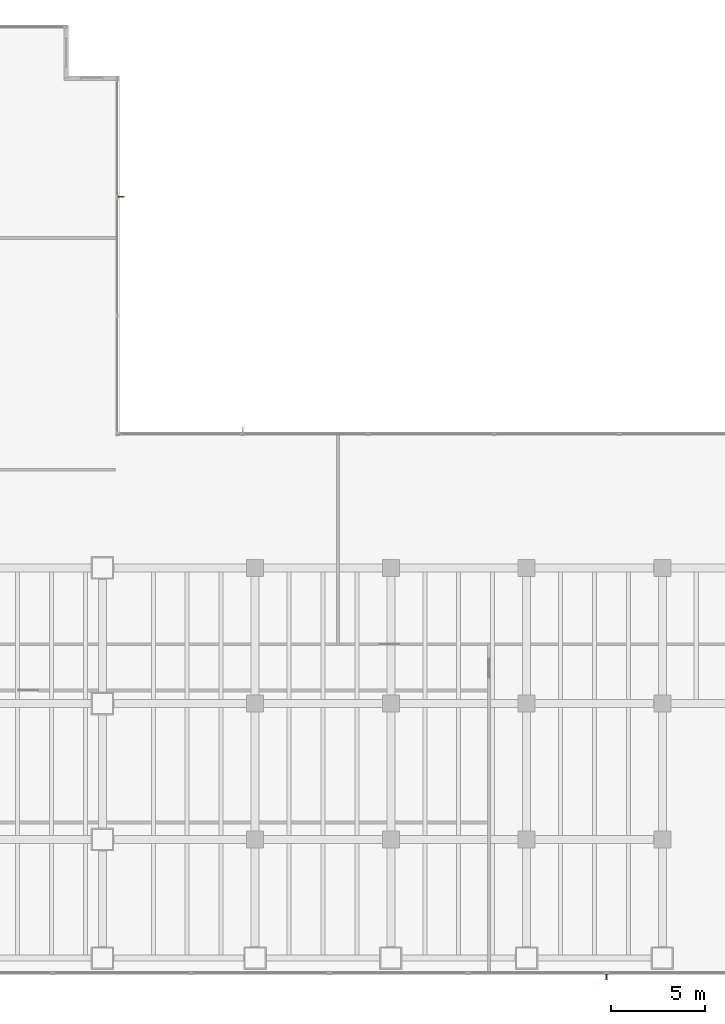
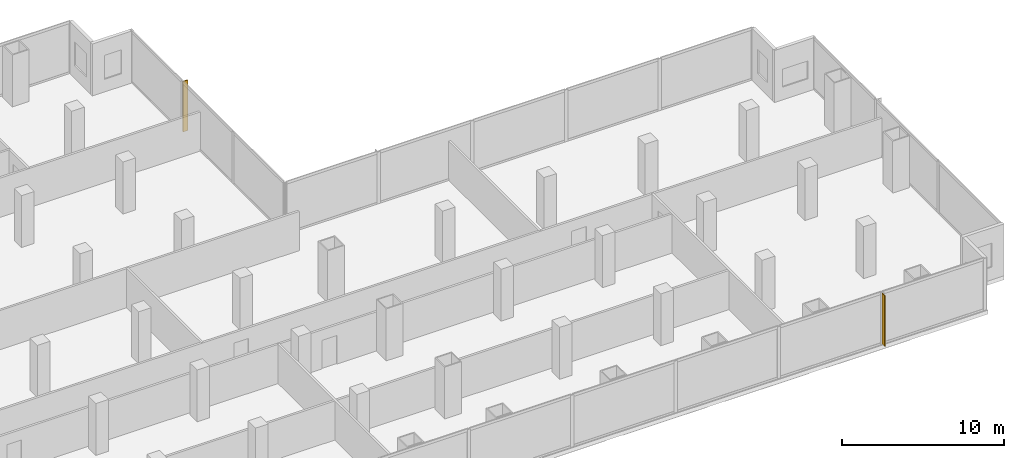
# One storey, part 30 of 31: 2 shading devices.
"""IFC4 building model written with IfcOpenShell, lengths in metres."""

from ifc_helpers import new_model, si_unit, direction, frame, origin, place, context, subcontext, project, spatial, polyline, outline, extrude, material, layer, layer_set, type_object, element, save


model = new_model("IFC4")

# Units and contexts
model_context = context("Model", 3, precision=1e-05, world=origin(), true_north=direction((0.0, 1.0)))
body_context = subcontext(model_context, "Body", "Model", "MODEL_VIEW")
ifc_project = project(units=[si_unit("LENGTHUNIT", "METRE"), si_unit("AREAUNIT", "SQUARE_METRE"), si_unit("VOLUMEUNIT", "CUBIC_METRE"), si_unit("PLANEANGLEUNIT", "RADIAN"), si_unit("MASSUNIT", "GRAM", prefix="KILO")], contexts=[model_context])

# Site, building, storey
site_placement = place(None, origin())
site = spatial("IfcSite", under=ifc_project, at=site_placement, CompositionType="ELEMENT")
building_placement = place(site_placement, origin())
building = spatial("IfcBuilding", under=site, at=building_placement, Name="Cobrela Telecom Tower", CompositionType="ELEMENT")
storey_placement = place(building_placement, frame((0.0, 0.0, 9.449951171875)))
storey = spatial("IfcBuildingStorey", under=building, at=storey_placement, Name="L02", CompositionType="ELEMENT", Elevation=9.449951171875)

# Shading devices
ifc_material = material(Name="Anodized Bronze Aluminium 6063-T6", Category="aluminium")
ifc_layer = layer(ifc_material, 0.06005859375)
ifc_layer_set = layer_set([ifc_layer], Name="Anodized Bronze Aluminium 6063-T6")
shading_device_type = type_object("IfcShadingDeviceType", Name="SHD-FIN-BRZ", PredefinedType="USERDEFINED", material=ifc_layer_set)
shading_device_1_placement = place(storey_placement, frame((0.0, 0.0, 0.050048828125)))
element("IfcShadingDevice", 1, at=shading_device_1_placement, inside=storey, type_object=shading_device_type, Name="L02 Anodized Bronze Solar Fin 02", ObjectType="SUNSHADE", PredefinedType="USERDEFINED", context=body_context, shape_type="SweptSolid", body=[
    extrude(outline(polyline([(50.320068359375, 41.31005859375), (50.320068359375, 41.25), (50.659912109375, 41.25), (50.659912109375, 41.31005859375), (50.320068359375, 41.31005859375)])), origin(), (0.0, 0.0, 1.0), 3.800048828125),
])
shading_device_2_placement = place(storey_placement, frame((0.0, 0.0, 0.050048828125)))
element("IfcShadingDevice", 2, at=shading_device_2_placement, inside=storey, type_object=shading_device_type, Name="L02 Anodized Bronze Solar Fin 05", ObjectType="SUNSHADE", PredefinedType="USERDEFINED", context=body_context, shape_type="SweptSolid", body=[
    extrude(outline(polyline([(76.268310546875, 0.080078125), (76.208251953125, 0.080078125), (76.208251953125, -0.260009765625), (76.268310546875, -0.260009765625), (76.268310546875, 0.080078125)])), origin(), (0.0, 0.0, 1.0), 3.800048828125),
])

save(model, "model.ifc")
